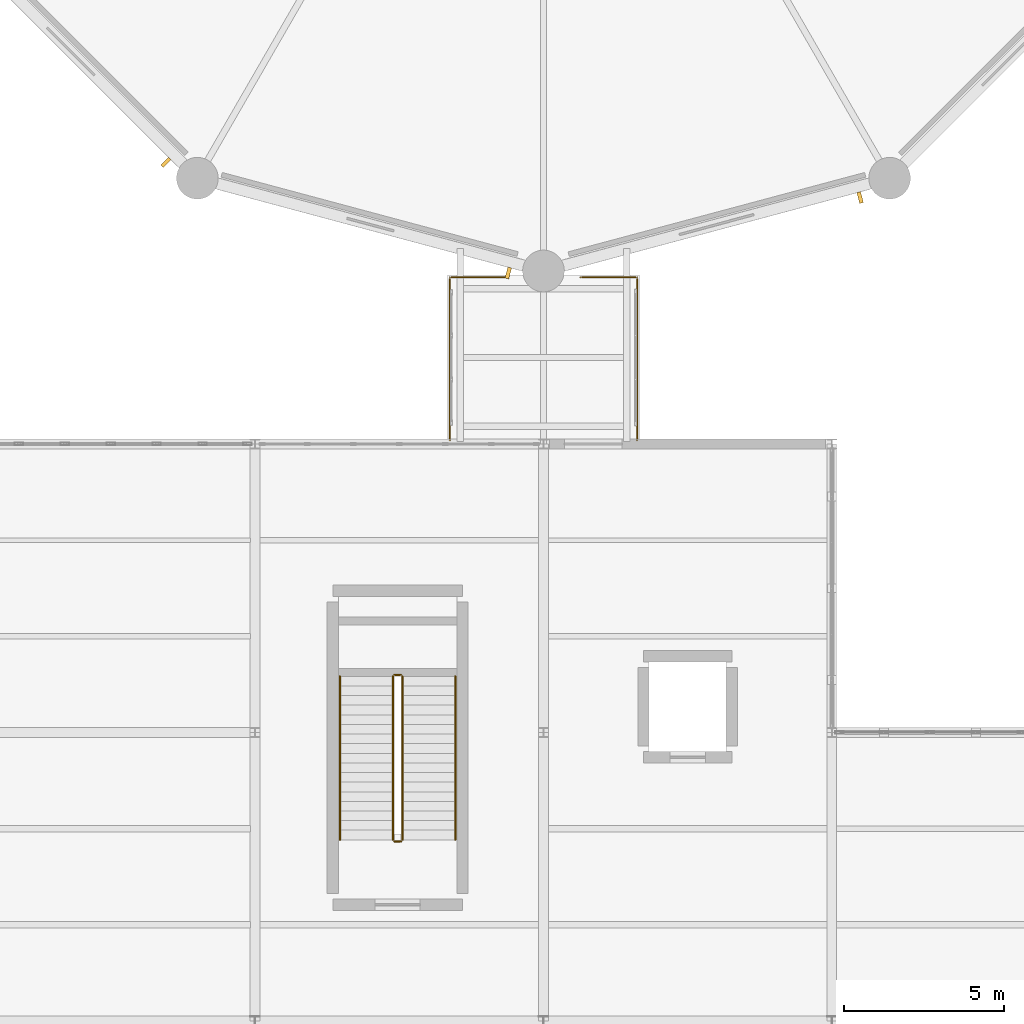
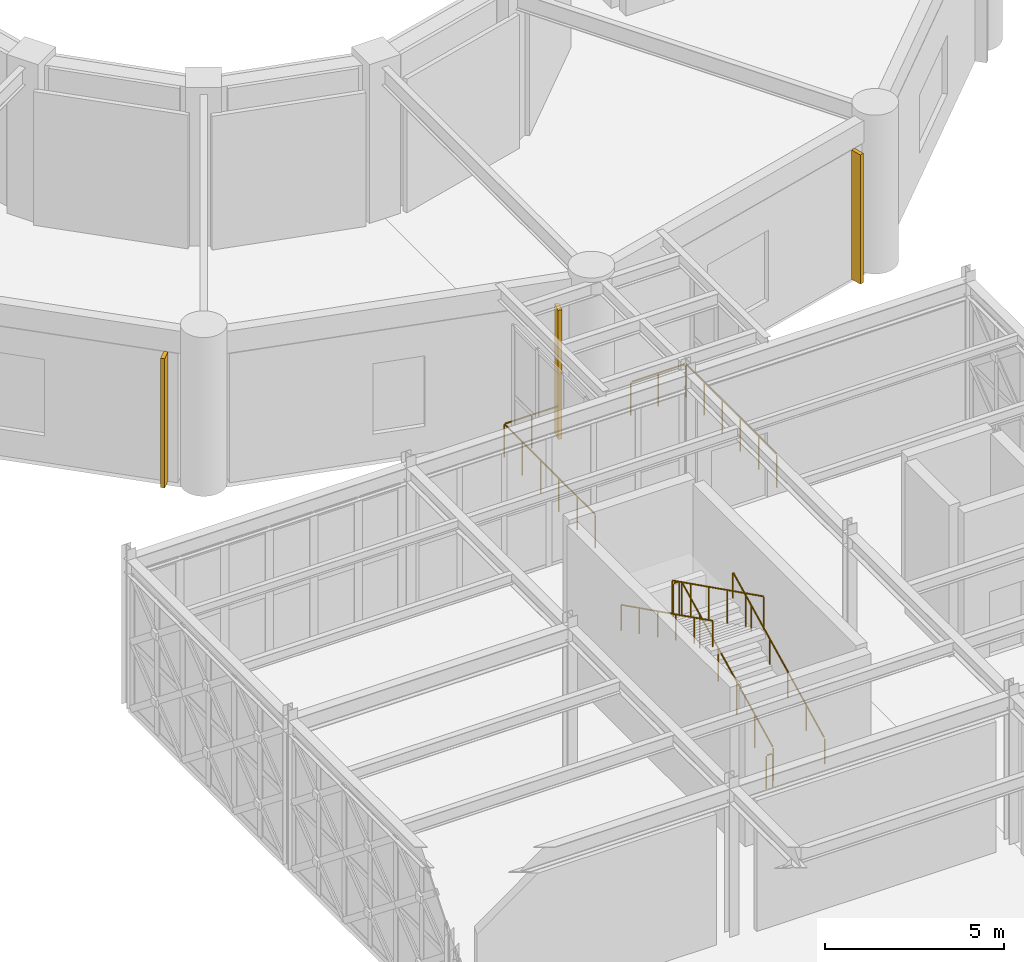
# One storey, part 147 of 155: 8 railings, 3 shading devices.
"""IFC4 building model written with IfcOpenShell, lengths in metres."""

from ifc_helpers import new_model, si_unit, direction, frame, origin, origin_2d, place, context, subcontext, project, spatial, rectangle, circle, extrude, material, type_object, element, save


model = new_model("IFC4")

# Units and contexts
model_context = context("Model", 3, precision=1e-05, world=origin(), true_north=direction((0.0, 1.0)))
body_context = subcontext(model_context, "Body", "Model", "MODEL_VIEW")
ifc_project = project(units=[si_unit("LENGTHUNIT", "METRE"), si_unit("AREAUNIT", "SQUARE_METRE"), si_unit("VOLUMEUNIT", "CUBIC_METRE"), si_unit("PLANEANGLEUNIT", "RADIAN"), si_unit("MASSUNIT", "GRAM", prefix="KILO")], contexts=[model_context])

# Site, building, storey
site_placement = place(None, origin())
site = spatial("IfcSite", under=ifc_project, at=site_placement, CompositionType="ELEMENT")
building_placement = place(site_placement, origin())
building = spatial("IfcBuilding", under=site, at=building_placement, Name="Haizhuo Lancet Aquarium", CompositionType="ELEMENT")
storey_placement = place(building_placement, frame((0.0, 0.0, 10.800048828125)))
storey = spatial("IfcBuildingStorey", under=building, at=storey_placement, Name="L02", CompositionType="ELEMENT", Elevation=10.800048828125)

# Railings
ifc_material_1 = material(Name="Steel S355", Category="steel")
railing_type_1 = type_object("IfcRailingType", Name="RL-GRD-1150", PredefinedType="GUARDRAIL", material=ifc_material_1)
railing_1_placement = place(storey_placement, frame((-2.919921875, -26.8798828125, 0.0)))
element("IfcRailing", 1, at=railing_1_placement, inside=storey, type_object=railing_type_1, Name="Sky-bridge floor edge guardrail SB-04 W", PredefinedType="GUARDRAIL", context=body_context, shape_type="SweptSolid", body=[
    extrude(circle(Radius=0.02392578125, at=origin_2d()), frame((0.0, 0.030029296875, 1.1259765625), z_axis=(0.0, 1.0, 0.0), x_axis=(-1.0, 0.0, 0.0)), (0.0, 0.0, 1.0), 5.019775390625),
    extrude(circle(Radius=0.02392578125, at=origin_2d()), frame((0.030029296875, 5.079833984375, 1.1259765625), z_axis=(1.0, 0.0, 0.0), x_axis=(0.0, 1.0, 0.0)), (0.0, 0.0, 1.0), 1.7099609375),
    extrude(circle(Radius=0.02099609375, at=origin_2d()), origin(), (0.0, 0.0, 1.0), 1.097900390625),
    extrude(circle(Radius=0.02099609375, at=origin_2d()), frame((0.0, 1.015869140625, 0.0)), (0.0, 0.0, 1.0), 1.097900390625),
    extrude(circle(Radius=0.02099609375, at=origin_2d()), frame((0.0, 2.031982421875, 0.0)), (0.0, 0.0, 1.0), 1.097900390625),
    extrude(circle(Radius=0.02099609375, at=origin_2d()), frame((0.0, 3.0478515625, 0.0)), (0.0, 0.0, 1.0), 1.097900390625),
    extrude(circle(Radius=0.02099609375, at=origin_2d()), frame((0.0, 4.06396484375, 0.0)), (0.0, 0.0, 1.0), 1.097900390625),
    extrude(circle(Radius=0.02099609375, at=origin_2d()), frame((0.0, 5.079833984375, 0.0)), (0.0, 0.0, 1.0), 1.097900390625),
    extrude(circle(Radius=0.02099609375, at=origin_2d()), frame((0.885009765625, 5.079833984375, 0.0)), (0.0, 0.0, 1.0), 1.097900390625),
    extrude(circle(Radius=0.02099609375, at=origin_2d()), frame((1.77001953125, 5.079833984375, 0.0)), (0.0, 0.0, 1.0), 1.097900390625),
])
railing_2_placement = place(storey_placement, frame((2.919921875, -26.8798828125, 0.0)))
element("IfcRailing", 2, at=railing_2_placement, inside=storey, type_object=railing_type_1, Name="Sky-bridge floor edge guardrail SB-04 E", PredefinedType="GUARDRAIL", context=body_context, shape_type="SweptSolid", body=[
    extrude(circle(Radius=0.02392578125, at=origin_2d()), frame((0.0, 0.030029296875, 1.1259765625), z_axis=(0.0, 1.0, 0.0), x_axis=(-1.0, 0.0, 0.0)), (0.0, 0.0, 1.0), 5.019775390625),
    extrude(circle(Radius=0.02392578125, at=origin_2d()), frame((-0.030029296875, 5.079833984375, 1.1259765625), z_axis=(-1.0, 0.0, 0.0), x_axis=(0.0, -1.0, 0.0)), (0.0, 0.0, 1.0), 1.7099609375),
    extrude(circle(Radius=0.02099609375, at=origin_2d()), origin(), (0.0, 0.0, 1.0), 1.097900390625),
    extrude(circle(Radius=0.02099609375, at=origin_2d()), frame((0.0, 1.015869140625, 0.0)), (0.0, 0.0, 1.0), 1.097900390625),
    extrude(circle(Radius=0.02099609375, at=origin_2d()), frame((0.0, 2.031982421875, 0.0)), (0.0, 0.0, 1.0), 1.097900390625),
    extrude(circle(Radius=0.02099609375, at=origin_2d()), frame((0.0, 3.0478515625, 0.0)), (0.0, 0.0, 1.0), 1.097900390625),
    extrude(circle(Radius=0.02099609375, at=origin_2d()), frame((0.0, 4.06396484375, 0.0)), (0.0, 0.0, 1.0), 1.097900390625),
    extrude(circle(Radius=0.02099609375, at=origin_2d()), frame((0.0, 5.079833984375, 0.0)), (0.0, 0.0, 1.0), 1.097900390625),
    extrude(circle(Radius=0.02099609375, at=origin_2d()), frame((-0.885009765625, 5.079833984375, 0.0)), (0.0, 0.0, 1.0), 1.097900390625),
    extrude(circle(Radius=0.02099609375, at=origin_2d()), frame((-1.77001953125, 5.079833984375, 0.0)), (0.0, 0.0, 1.0), 1.097900390625),
])
railing_3_placement = place(storey_placement, frame((-4.39990234375, -39.35009765625, 0.14990234375)))
element("IfcRailing", 3, at=railing_3_placement, inside=storey, type_object=railing_type_1, Name="L02 ST-06 stair guard 1", PredefinedType="GUARDRAIL", context=body_context, shape_type="SweptSolid", body=[
    extrude(circle(Radius=0.02392578125, at=origin_2d()), frame((0.0, 0.02685546875, 1.13916015625), z_axis=(0.0, 0.894427191, 0.4472135955), x_axis=(-1.0, 0.0, 0.0)), (0.0, 0.0, 1.0), 5.64208984375),
    extrude(circle(Radius=0.02099609375, at=origin_2d()), origin(), (0.0, 0.0, 1.0), 1.097900390625),
    extrude(circle(Radius=0.02099609375, at=origin_2d()), frame((0.0, 1.02001953125, 0.510009765625)), (0.0, 0.0, 1.0), 1.097900390625),
    extrude(circle(Radius=0.02099609375, at=origin_2d()), frame((0.0, 2.0400390625, 1.02001953125)), (0.0, 0.0, 1.0), 1.097900390625),
    extrude(circle(Radius=0.02099609375, at=origin_2d()), frame((0.0, 3.06005859375, 1.530029296875)), (0.0, 0.0, 1.0), 1.097900390625),
    extrude(circle(Radius=0.02099609375, at=origin_2d()), frame((0.0, 4.080078125, 2.0400390625)), (0.0, 0.0, 1.0), 1.097900390625),
    extrude(circle(Radius=0.02099609375, at=origin_2d()), frame((0.0, 5.10009765625, 2.550048828125)), (0.0, 0.0, 1.0), 1.097900390625),
])
railing_4_placement = place(storey_placement, frame((-4.449951171875, -34.199951171875, 2.699951171875)))
element("IfcRailing", 4, at=railing_4_placement, inside=storey, type_object=railing_type_1, Name="L02 ST-06 stair guard 2", PredefinedType="GUARDRAIL", context=body_context, shape_type="SweptSolid", body=[
    extrude(circle(Radius=0.02392578125, at=origin_2d()), frame((-0.030029296875, 0.0, 1.1259765625), z_axis=(-1.0, 0.0, 0.0), x_axis=(0.0, -1.0, 0.0)), (0.0, 0.0, 1.0), 0.139892578125),
    extrude(circle(Radius=0.02099609375, at=origin_2d()), origin(), (0.0, 0.0, 1.0), 1.097900390625),
    extrude(circle(Radius=0.02099609375, at=origin_2d()), frame((-0.199951171875, 0.0, 0.0)), (0.0, 0.0, 1.0), 1.097900390625),
])
railing_5_placement = place(storey_placement, frame((-4.699951171875, -34.25, 2.849853515625)))
element("IfcRailing", 5, at=railing_5_placement, inside=storey, type_object=railing_type_1, Name="L02 ST-06 stair guard 3", PredefinedType="GUARDRAIL", context=body_context, shape_type="SweptSolid", body=[
    extrude(circle(Radius=0.02392578125, at=origin_2d()), frame((0.0, -0.02685546875, 1.13916015625), z_axis=(0.0, -0.894427191, 0.4472135955), x_axis=(1.0, 0.0, 0.0)), (0.0, 0.0, 1.0), 5.64208984375),
    extrude(circle(Radius=0.02099609375, at=origin_2d()), origin(), (0.0, 0.0, 1.0), 1.097900390625),
    extrude(circle(Radius=0.02099609375, at=origin_2d()), frame((0.0, -1.02001953125, 0.510009765625)), (0.0, 0.0, 1.0), 1.097900390625),
    extrude(circle(Radius=0.02099609375, at=origin_2d()), frame((0.0, -2.0400390625, 1.02001953125)), (0.0, 0.0, 1.0), 1.097900390625),
    extrude(circle(Radius=0.02099609375, at=origin_2d()), frame((0.0, -3.06005859375, 1.530029296875)), (0.0, 0.0, 1.0), 1.097900390625),
    extrude(circle(Radius=0.02099609375, at=origin_2d()), frame((0.0, -4.080078125, 2.0400390625)), (0.0, 0.0, 1.0), 1.097900390625),
    extrude(circle(Radius=0.02099609375, at=origin_2d()), frame((0.0, -5.10009765625, 2.550048828125)), (0.0, 0.0, 1.0), 1.097900390625),
])
railing_6_placement = place(storey_placement, frame((-4.449951171875, -39.39990234375, 0.0)))
element("IfcRailing", 6, at=railing_6_placement, inside=storey, type_object=railing_type_1, Name="L02 ST-06 stair guard 4", PredefinedType="GUARDRAIL", context=body_context, shape_type="SweptSolid", body=[
    extrude(circle(Radius=0.02392578125, at=origin_2d()), frame((-0.030029296875, 0.0, 1.1259765625), z_axis=(-1.0, 0.0, 0.0), x_axis=(0.0, -1.0, 0.0)), (0.0, 0.0, 1.0), 0.139892578125),
    extrude(circle(Radius=0.02099609375, at=origin_2d()), origin(), (0.0, 0.0, 1.0), 1.097900390625),
    extrude(circle(Radius=0.02099609375, at=origin_2d()), frame((-0.199951171875, 0.0, 0.0)), (0.0, 0.0, 1.0), 1.097900390625),
])
railing_type_2 = type_object("IfcRailingType", Name="RL-HDR-900", PredefinedType="HANDRAIL", material=ifc_material_1)
railing_7_placement = place(storey_placement, frame((-2.75, -39.35009765625, 0.14990234375)))
element("IfcRailing", 7, at=railing_7_placement, inside=storey, type_object=railing_type_2, Name="L02 ST-06 pitch handrail 1", PredefinedType="HANDRAIL", context=body_context, shape_type="SweptSolid", body=[
    extrude(circle(Radius=0.02392578125, at=origin_2d()), frame((0.0, 0.02685546875, 0.88916015625), z_axis=(0.0, 0.894427191, 0.4472135955), x_axis=(-1.0, 0.0, 0.0)), (0.0, 0.0, 1.0), 5.64208984375),
    extrude(circle(Radius=0.02099609375, at=origin_2d()), origin(), (0.0, 0.0, 1.0), 0.847900390625),
    extrude(circle(Radius=0.02099609375, at=origin_2d()), frame((0.0, 1.02001953125, 0.510009765625)), (0.0, 0.0, 1.0), 0.847900390625),
    extrude(circle(Radius=0.02099609375, at=origin_2d()), frame((0.0, 2.0400390625, 1.02001953125)), (0.0, 0.0, 1.0), 0.847900390625),
    extrude(circle(Radius=0.02099609375, at=origin_2d()), frame((0.0, 3.06005859375, 1.530029296875)), (0.0, 0.0, 1.0), 0.847900390625),
    extrude(circle(Radius=0.02099609375, at=origin_2d()), frame((0.0, 4.080078125, 2.0400390625)), (0.0, 0.0, 1.0), 0.847900390625),
    extrude(circle(Radius=0.02099609375, at=origin_2d()), frame((0.0, 5.10009765625, 2.550048828125)), (0.0, 0.0, 1.0), 0.847900390625),
])
railing_8_placement = place(storey_placement, frame((-6.35009765625, -34.25, 2.849853515625)))
element("IfcRailing", 8, at=railing_8_placement, inside=storey, type_object=railing_type_2, Name="L02 ST-06 pitch handrail 2", PredefinedType="HANDRAIL", context=body_context, shape_type="SweptSolid", body=[
    extrude(circle(Radius=0.02392578125, at=origin_2d()), frame((0.0, -0.02685546875, 0.88916015625), z_axis=(0.0, -0.894427191, 0.4472135955), x_axis=(1.0, 0.0, 0.0)), (0.0, 0.0, 1.0), 5.64208984375),
    extrude(circle(Radius=0.02099609375, at=origin_2d()), origin(), (0.0, 0.0, 1.0), 0.847900390625),
    extrude(circle(Radius=0.02099609375, at=origin_2d()), frame((0.0, -1.02001953125, 0.510009765625)), (0.0, 0.0, 1.0), 0.847900390625),
    extrude(circle(Radius=0.02099609375, at=origin_2d()), frame((0.0, -2.0400390625, 1.02001953125)), (0.0, 0.0, 1.0), 0.847900390625),
    extrude(circle(Radius=0.02099609375, at=origin_2d()), frame((0.0, -3.06005859375, 1.530029296875)), (0.0, 0.0, 1.0), 0.847900390625),
    extrude(circle(Radius=0.02099609375, at=origin_2d()), frame((0.0, -4.080078125, 2.0400390625)), (0.0, 0.0, 1.0), 0.847900390625),
    extrude(circle(Radius=0.02099609375, at=origin_2d()), frame((0.0, -5.10009765625, 2.550048828125)), (0.0, 0.0, 1.0), 0.847900390625),
])

# Shading devices
ifc_material_2 = material(Name="Shandong Grey Limestone Ashlar", Category="masonry")
shading_device_type = type_object("IfcShadingDeviceType", Name="SHD-LAN-FIN", PredefinedType="JALOUSIE", material=ifc_material_2)
for number, where, z_axis, x_axis, name in (
    (9, (-11.781982421875, -18.2109375, 0.00048828125), (0.0, 0.0, 1.0), (-0.707106781187, 0.707106781187, 0.0), "L02 Gothic lancet stone solar fin 20"),
    (10, (-1.097900390625, -21.6630859375, 0.00048828125), (0.0, 0.0, 1.0), (-0.965932552716, 0.25879394043, 0.0), "L02 Gothic lancet stone solar fin 21"),
    (11, (9.8798828125, -19.31005859375, 0.00048828125), (0.0, 0.0, 1.0), (-0.965932552716, -0.25879394043, 0.0), "L02 Gothic lancet stone solar fin 22"),
):
    element("IfcShadingDevice", number, at=place(storey_placement, frame(where, z_axis=z_axis, x_axis=x_axis)), inside=storey, type_object=shading_device_type, material=ifc_material_2, Name=name, PredefinedType="JALOUSIE", context=body_context, shape_type="SweptSolid", body=[
        extrude(rectangle(XDim=0.1201171875, YDim=0.35009765625, at=origin_2d()), origin(), (0.0, 0.0, 1.0), 4.39501953125),
    ])

save(model, "model.ifc")
